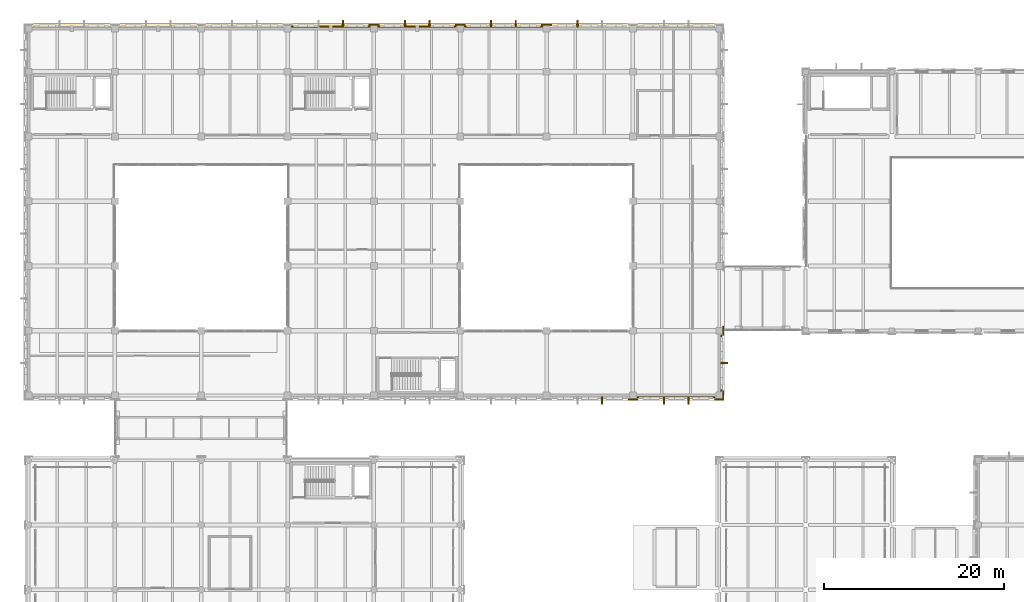
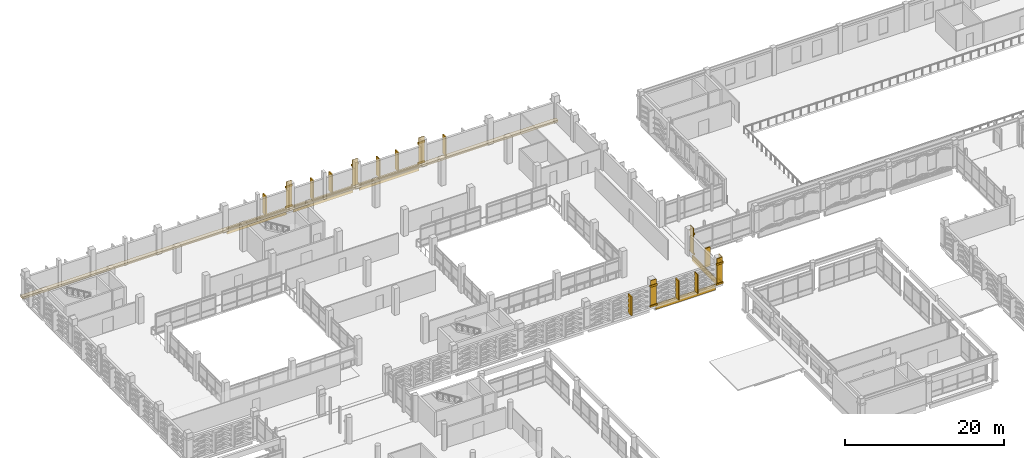
# One storey, part 173 of 180: 37 coverings.
"""IFC4 building model written with IfcOpenShell, lengths in metres."""

from ifc_helpers import new_model, si_unit, direction, frame, origin, origin_2d, place, context, subcontext, project, spatial, rectangle, extrude, material, layer, layer_set, type_object, element, save


model = new_model("IFC4")

# Units and contexts
model_context = context("Model", 3, precision=1e-05, world=origin(), true_north=direction((0.0, 1.0)))
body_context = subcontext(model_context, "Body", "Model", "MODEL_VIEW")
ifc_project = project(units=[si_unit("LENGTHUNIT", "METRE"), si_unit("AREAUNIT", "SQUARE_METRE"), si_unit("VOLUMEUNIT", "CUBIC_METRE"), si_unit("PLANEANGLEUNIT", "RADIAN"), si_unit("MASSUNIT", "GRAM", prefix="KILO")], contexts=[model_context])

# Site, building, storey
site_placement = place(None, origin())
site = spatial("IfcSite", under=ifc_project, at=site_placement, CompositionType="ELEMENT")
building_placement = place(site_placement, origin())
building = spatial("IfcBuilding", under=site, at=building_placement, Name="Asteropetra Specialist Clinic", CompositionType="ELEMENT")
storey_placement = place(building_placement, frame((0.0, 0.0, 4.419921875)))
storey = spatial("IfcBuildingStorey", under=building, at=storey_placement, Name="L01", CompositionType="ELEMENT", Elevation=4.419921875)

# Coverings
ifc_material_1 = material(Name="Chevron terracotta deep", Category="masonry")
ifc_layer_1 = layer(ifc_material_1, 0.1201171875)
ifc_layer_set_1 = layer_set([ifc_layer_1], Name="Chevron terracotta deep")
covering_type_1 = type_object("IfcCoveringType", Name="CLD-TER-DEEP", PredefinedType="CLADDING", material=ifc_layer_set_1)
for number, where, z_axis, x_axis, name in (
    (1, (33.60009765625, 110.60009765625, -0.7998046875), (0.0, 0.0, 1.0), (1.0, 0.0, 0.0), "Chevron Spandrel Band CV-1412"),
    (2, (43.199951171875, 110.60009765625, -0.7998046875), (0.0, 0.0, 1.0), (1.0, 0.0, 0.0), "Chevron Spandrel Band CV-1414"),
    (3, (52.800048828125, 110.60009765625, -0.7998046875), (0.0, 0.0, 1.0), (1.0, 0.0, 0.0), "Chevron Spandrel Band CV-1415"),
    (4, (72.0, 69.39990234375, -0.7998046875), (0.0, 0.0, 1.0), (1.0, 0.0, 0.0), "Chevron Spandrel Band CV-1416"),
):
    element("IfcCovering", number, at=place(storey_placement, frame(where, z_axis=z_axis, x_axis=x_axis)), inside=storey, type_object=covering_type_1, Name=name, PredefinedType="CLADDING", context=body_context, shape_type="SweptSolid", body=[
        extrude(rectangle(XDim=8.64990234375, YDim=0.1201171875, at=origin_2d()), origin(), (0.0, 0.0, 1.0), 0.8798828125),
    ])
covering_1_placement = place(storey_placement, frame((77.0, 73.199951171875, -0.7998046875), z_axis=(0.0, 0.0, 1.0), x_axis=(1.0, 0.0, 0.0)))
element("IfcCovering", 5, at=covering_1_placement, inside=storey, type_object=covering_type_1, Name="Chevron Spandrel Band CV-1419", PredefinedType="CLADDING", context=body_context, shape_type="SweptSolid", body=[
    extrude(rectangle(XDim=0.1201171875, YDim=6.25, at=origin_2d()), origin(), (0.0, 0.0, 1.0), 0.8798828125),
])
ifc_material_2 = material(Name="Pentelic marble ashlar", Category="masonry")
ifc_layer_2 = layer(ifc_material_2, 0.159912109375)
ifc_layer_set_2 = layer_set([ifc_layer_2], Name="Pentelic marble ashlar")
covering_type_2 = type_object("IfcCoveringType", Name="CRN-ENTAB-600", PredefinedType="MOLDING", material=ifc_layer_set_2)
covering_2_placement = place(storey_placement, frame((38.39990234375, 110.806884765625, 0.02001953125), z_axis=(0.0, 0.0, 1.0), x_axis=(1.0, 0.0, 0.0)))
element("IfcCovering", 6, at=covering_2_placement, inside=storey, type_object=covering_type_2, Name="Neoclassical Pilaster Facing CM-0601", PredefinedType="MOLDING", context=body_context, shape_type="SweptSolid", body=[
    extrude(rectangle(XDim=0.830078125, YDim=0.080078125, at=origin_2d()), origin(), (0.0, 0.0, 1.0), 4.0400390625),
])
for number, where, z_axis, x_axis, name in (
    (7, (38.39990234375, 110.846923828125, 0.01025390625), (0.0, 0.0, 1.0), (1.0, 0.0, 0.0), "Doric Base CC-0602"),
    (8, (38.39990234375, 110.846923828125, 3.08984375), (0.0, 0.0, 1.0), (1.0, 0.0, 0.0), "Doric Capital CC-0603"),
):
    element("IfcCovering", number, at=place(storey_placement, frame(where, z_axis=z_axis, x_axis=x_axis)), inside=storey, type_object=covering_type_2, Name=name, PredefinedType="MOLDING", context=body_context, shape_type="SweptSolid", body=[
        extrude(rectangle(XDim=1.030029296875, YDim=0.159912109375, at=origin_2d()), origin(), (0.0, 0.0, 1.0), 0.260009765625),
    ])
covering_3_placement = place(storey_placement, frame((48.0, 110.806884765625, 0.02001953125), z_axis=(0.0, 0.0, 1.0), x_axis=(1.0, 0.0, 0.0)))
element("IfcCovering", 9, at=covering_3_placement, inside=storey, type_object=covering_type_2, Name="Neoclassical Pilaster Facing CM-0607", PredefinedType="MOLDING", context=body_context, shape_type="SweptSolid", body=[
    extrude(rectangle(XDim=0.830078125, YDim=0.080078125, at=origin_2d()), origin(), (0.0, 0.0, 1.0), 4.0400390625),
])
for number, where, z_axis, x_axis, name in (
    (10, (48.0, 110.846923828125, 0.01025390625), (0.0, 0.0, 1.0), (1.0, 0.0, 0.0), "Doric Base CC-0608"),
    (11, (48.0, 110.846923828125, 3.08984375), (0.0, 0.0, 1.0), (1.0, 0.0, 0.0), "Doric Capital CC-0609"),
):
    element("IfcCovering", number, at=place(storey_placement, frame(where, z_axis=z_axis, x_axis=x_axis)), inside=storey, type_object=covering_type_2, Name=name, PredefinedType="MOLDING", context=body_context, shape_type="SweptSolid", body=[
        extrude(rectangle(XDim=1.030029296875, YDim=0.159912109375, at=origin_2d()), origin(), (0.0, 0.0, 1.0), 0.260009765625),
    ])
covering_4_placement = place(storey_placement, frame((57.60009765625, 110.806884765625, 0.02001953125), z_axis=(0.0, 0.0, 1.0), x_axis=(1.0, 0.0, 0.0)))
element("IfcCovering", 12, at=covering_4_placement, inside=storey, type_object=covering_type_2, Name="Neoclassical Pilaster Facing CM-0613", PredefinedType="MOLDING", context=body_context, shape_type="SweptSolid", body=[
    extrude(rectangle(XDim=0.830078125, YDim=0.080078125, at=origin_2d()), origin(), (0.0, 0.0, 1.0), 4.0400390625),
])
for number, where, z_axis, x_axis, name in (
    (13, (57.60009765625, 110.846923828125, 0.01025390625), (0.0, 0.0, 1.0), (1.0, 0.0, 0.0), "Doric Base CC-0614"),
    (14, (57.60009765625, 110.846923828125, 3.08984375), (0.0, 0.0, 1.0), (1.0, 0.0, 0.0), "Doric Capital CC-0615"),
):
    element("IfcCovering", number, at=place(storey_placement, frame(where, z_axis=z_axis, x_axis=x_axis)), inside=storey, type_object=covering_type_2, Name=name, PredefinedType="MOLDING", context=body_context, shape_type="SweptSolid", body=[
        extrude(rectangle(XDim=1.030029296875, YDim=0.159912109375, at=origin_2d()), origin(), (0.0, 0.0, 1.0), 0.260009765625),
    ])
covering_5_placement = place(storey_placement, frame((67.199951171875, 69.193115234375, 0.02001953125), z_axis=(0.0, 0.0, 1.0), x_axis=(1.0, 0.0, 0.0)))
element("IfcCovering", 15, at=covering_5_placement, inside=storey, type_object=covering_type_2, Name="Neoclassical Pilaster Facing CM-0616", PredefinedType="MOLDING", context=body_context, shape_type="SweptSolid", body=[
    extrude(rectangle(XDim=0.830078125, YDim=0.080078125, at=origin_2d()), origin(), (0.0, 0.0, 1.0), 4.0400390625),
])
for number, where, z_axis, x_axis, name in (
    (16, (67.199951171875, 69.153076171875, 0.01025390625), (0.0, 0.0, 1.0), (1.0, 0.0, 0.0), "Doric Base CC-0617"),
    (17, (67.199951171875, 69.153076171875, 3.08984375), (0.0, 0.0, 1.0), (1.0, 0.0, 0.0), "Doric Capital CC-0618"),
):
    element("IfcCovering", number, at=place(storey_placement, frame(where, z_axis=z_axis, x_axis=x_axis)), inside=storey, type_object=covering_type_2, Name=name, PredefinedType="MOLDING", context=body_context, shape_type="SweptSolid", body=[
        extrude(rectangle(XDim=1.030029296875, YDim=0.159912109375, at=origin_2d()), origin(), (0.0, 0.0, 1.0), 0.260009765625),
    ])
covering_6_placement = place(storey_placement, frame((76.800048828125, 69.193115234375, 0.02001953125), z_axis=(0.0, 0.0, 1.0), x_axis=(1.0, 0.0, 0.0)))
element("IfcCovering", 18, at=covering_6_placement, inside=storey, type_object=covering_type_2, Name="Neoclassical Pilaster Facing CM-0622", PredefinedType="MOLDING", context=body_context, shape_type="SweptSolid", body=[
    extrude(rectangle(XDim=0.830078125, YDim=0.080078125, at=origin_2d()), origin(), (0.0, 0.0, 1.0), 4.0400390625),
])
for number, where, z_axis, x_axis, name in (
    (19, (76.800048828125, 69.153076171875, 0.01025390625), (0.0, 0.0, 1.0), (1.0, 0.0, 0.0), "Doric Base CC-0623"),
    (20, (76.800048828125, 69.153076171875, 3.08984375), (0.0, 0.0, 1.0), (1.0, 0.0, 0.0), "Doric Capital CC-0624"),
):
    element("IfcCovering", number, at=place(storey_placement, frame(where, z_axis=z_axis, x_axis=x_axis)), inside=storey, type_object=covering_type_2, Name=name, PredefinedType="MOLDING", context=body_context, shape_type="SweptSolid", body=[
        extrude(rectangle(XDim=1.030029296875, YDim=0.159912109375, at=origin_2d()), origin(), (0.0, 0.0, 1.0), 0.260009765625),
    ])
covering_7_placement = place(storey_placement, frame((77.20703125, 69.60009765625, 0.02001953125), z_axis=(0.0, 0.0, 1.0), x_axis=(1.0, 0.0, 0.0)))
element("IfcCovering", 21, at=covering_7_placement, inside=storey, type_object=covering_type_2, Name="Neoclassical Pilaster Facing CM-0625", PredefinedType="MOLDING", context=body_context, shape_type="SweptSolid", body=[
    extrude(rectangle(XDim=0.080078125, YDim=0.830078125, at=origin_2d()), origin(), (0.0, 0.0, 1.0), 4.0400390625),
])
for number, where, z_axis, x_axis, name in (
    (22, (77.2470703125, 69.60009765625, 0.01025390625), (0.0, 0.0, 1.0), (1.0, 0.0, 0.0), "Doric Base CC-0626"),
    (23, (77.2470703125, 69.60009765625, 3.08984375), (0.0, 0.0, 1.0), (1.0, 0.0, 0.0), "Doric Capital CC-0627"),
):
    element("IfcCovering", number, at=place(storey_placement, frame(where, z_axis=z_axis, x_axis=x_axis)), inside=storey, type_object=covering_type_2, Name=name, PredefinedType="MOLDING", context=body_context, shape_type="SweptSolid", body=[
        extrude(rectangle(XDim=0.159912109375, YDim=1.030029296875, at=origin_2d()), origin(), (0.0, 0.0, 1.0), 0.260009765625),
    ])
covering_8_placement = place(storey_placement, frame((77.20703125, 76.800048828125, 0.02001953125), z_axis=(0.0, 0.0, 1.0), x_axis=(1.0, 0.0, 0.0)))
element("IfcCovering", 24, at=covering_8_placement, inside=storey, type_object=covering_type_2, Name="Neoclassical Pilaster Facing CM-0628", PredefinedType="MOLDING", context=body_context, shape_type="SweptSolid", body=[
    extrude(rectangle(XDim=0.080078125, YDim=0.830078125, at=origin_2d()), origin(), (0.0, 0.0, 1.0), 4.0400390625),
])
for number, where, z_axis, x_axis, name in (
    (25, (77.2470703125, 76.800048828125, 0.01025390625), (0.0, 0.0, 1.0), (1.0, 0.0, 0.0), "Doric Base CC-0629"),
    (26, (77.2470703125, 76.800048828125, 3.08984375), (0.0, 0.0, 1.0), (1.0, 0.0, 0.0), "Doric Capital CC-0630"),
):
    element("IfcCovering", number, at=place(storey_placement, frame(where, z_axis=z_axis, x_axis=x_axis)), inside=storey, type_object=covering_type_2, Name=name, PredefinedType="MOLDING", context=body_context, shape_type="SweptSolid", body=[
        extrude(rectangle(XDim=0.159912109375, YDim=1.030029296875, at=origin_2d()), origin(), (0.0, 0.0, 1.0), 0.260009765625),
    ])
covering_9_placement = place(storey_placement, frame((38.39990234375, 110.679931640625, -0.27978515625), z_axis=(0.0, 0.0, 1.0), x_axis=(1.0, 0.0, 0.0)))
element("IfcCovering", 27, at=covering_9_placement, inside=storey, type_object=covering_type_2, Name="Classical Entablature Cornice EC-010", PredefinedType="MOLDING", context=body_context, shape_type="SweptSolid", body=[
    extrude(rectangle(XDim=77.60009765625, YDim=0.56005859375, at=origin_2d()), origin(), (0.0, 0.0, 1.0), 0.320068359375),
])
ifc_material_3 = material(Name="Pentelic marble solar fin", Category="masonry")
ifc_layer_3 = layer(ifc_material_3, 0.080078125)
ifc_layer_set_3 = layer_set([ifc_layer_3], Name="Pentelic marble solar fin")
covering_type_3 = type_object("IfcCoveringType", Name="FIN-SOLAR-800", PredefinedType="MOLDING", material=ifc_layer_set_3)
for number, where, z_axis, x_axis, name in (
    (28, (34.96826171875, 110.955078125, 0.070068359375), (0.0, 0.0, 1.0), (1.0, 0.0, 0.0), "Solar Shading Fin FN-0018"),
    (29, (44.568359375, 110.955078125, 0.070068359375), (0.0, 0.0, 1.0), (1.0, 0.0, 0.0), "Solar Shading Fin FN-0022"),
    (30, (41.831787109375, 110.955078125, 0.070068359375), (0.0, 0.0, 1.0), (1.0, 0.0, 0.0), "Solar Shading Fin FN-0023"),
):
    element("IfcCovering", number, at=place(storey_placement, frame(where, z_axis=z_axis, x_axis=x_axis)), inside=storey, type_object=covering_type_3, Name=name, PredefinedType="MOLDING", context=body_context, shape_type="SweptSolid", body=[
        extrude(rectangle(XDim=0.159912109375, YDim=0.800048828125, at=origin_2d()), origin(), (0.0, 0.0, 1.0), 2.93994140625),
    ])
for number, where, z_axis, x_axis, name in (
    (31, (54.168212890625, 110.955078125, 0.0703125), (0.0, 0.0, 1.0), (1.0, 0.0, 0.0), "Solar Shading Fin FN-0026"),
    (32, (51.431640625, 110.955078125, 0.0703125), (0.0, 0.0, 1.0), (1.0, 0.0, 0.0), "Solar Shading Fin FN-0027"),
    (33, (63.768310546875, 69.044921875, 0.0703125), (0.0, 0.0, 1.0), (1.0, 0.0, 0.0), "Solar Shading Fin FN-0029"),
    (34, (61.03173828125, 110.955078125, 0.0703125), (0.0, 0.0, 1.0), (1.0, 0.0, 0.0), "Solar Shading Fin FN-0031"),
    (35, (70.631591796875, 69.044921875, 0.0703125), (0.0, 0.0, 1.0), (1.0, 0.0, 0.0), "Solar Shading Fin FN-0032"),
    (36, (73.368408203125, 69.044921875, 0.0703125), (0.0, 0.0, 1.0), (1.0, 0.0, 0.0), "Solar Shading Fin FN-0033"),
):
    element("IfcCovering", number, at=place(storey_placement, frame(where, z_axis=z_axis, x_axis=x_axis)), inside=storey, type_object=covering_type_3, Name=name, PredefinedType="MOLDING", context=body_context, shape_type="SweptSolid", body=[
        extrude(rectangle(XDim=0.159912109375, YDim=0.800048828125, at=origin_2d()), origin(), (0.0, 0.0, 1.0), 2.909912109375),
    ])
covering_10_placement = place(storey_placement, frame((77.35498046875, 73.199951171875, 0.0703125), z_axis=(0.0, 0.0, 1.0), x_axis=(1.0, 0.0, 0.0)))
element("IfcCovering", 37, at=covering_10_placement, inside=storey, type_object=covering_type_3, Name="Solar Shading Fin FN-0037", PredefinedType="MOLDING", context=body_context, shape_type="SweptSolid", body=[
    extrude(rectangle(XDim=0.800048828125, YDim=0.159912109375, at=origin_2d()), origin(), (0.0, 0.0, 1.0), 2.909912109375),
])

save(model, "model.ifc")
